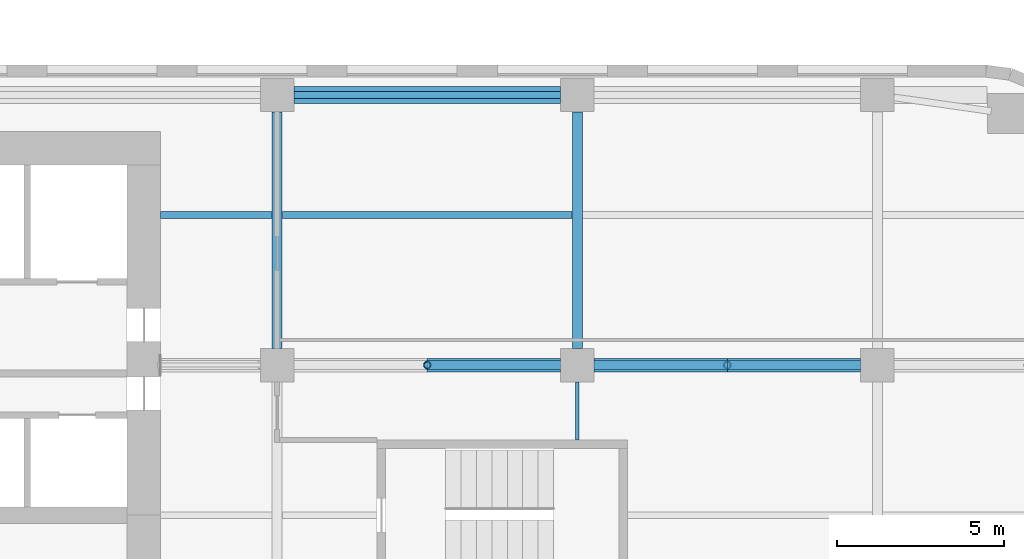
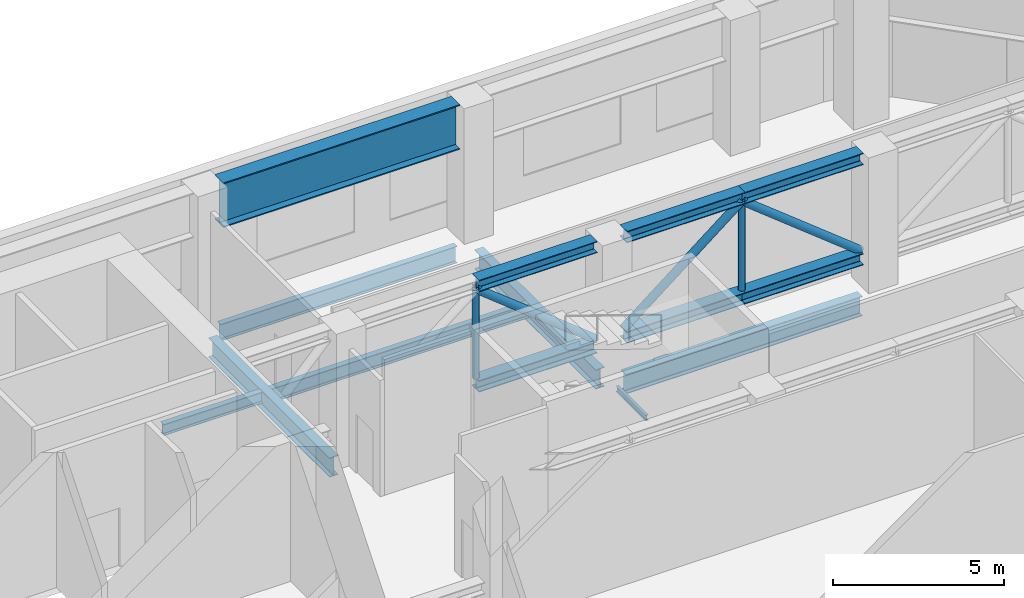
# One storey, part 9 of 23: 11 members, 8 beams.
"""IFC4 building model written with IfcOpenShell, lengths in metres."""

from ifc_helpers import new_model, si_unit, direction, frame, origin, origin_2d, place, context, subcontext, project, spatial, hollow_circle, i_section, extrude, material, material_profile, profile_set, type_object, element, save


model = new_model("IFC4")

# Units and contexts
model_context = context("Model", 3, precision=1e-05, world=origin(), true_north=direction((0.0, 1.0)))
body_context = subcontext(model_context, "Body", "Model", "MODEL_VIEW")
ifc_project = project(units=[si_unit("LENGTHUNIT", "METRE"), si_unit("AREAUNIT", "SQUARE_METRE"), si_unit("VOLUMEUNIT", "CUBIC_METRE"), si_unit("PLANEANGLEUNIT", "RADIAN"), si_unit("MASSUNIT", "GRAM", prefix="KILO")], contexts=[model_context])

# Site, building, storey
site_placement = place(None, origin())
site = spatial("IfcSite", under=ifc_project, at=site_placement, CompositionType="ELEMENT")
building_placement = place(site_placement, origin())
building = spatial("IfcBuilding", under=site, at=building_placement, Name="Cinnabar Reach Civic Tower", CompositionType="ELEMENT")
storey_placement = place(building_placement, frame((0.0, 0.0, 46.0)))
storey = spatial("IfcBuildingStorey", under=building, at=storey_placement, Name="L10", CompositionType="ELEMENT", Elevation=46.0)

# Beam
ifc_material = material(Name="Steel Q355B", Category="steel")
ifc_material_profile_1 = material_profile(ifc_material, i_section(OverallWidth=0.5, OverallDepth=1.6, WebThickness=0.025, FlangeThickness=0.04, at=origin_2d()), Name="BH1600x500x25x40")
ifc_profile_set_1 = profile_set([ifc_material_profile_1], Name="Steel Q355B")
beam_type_1 = type_object("IfcBeamType", Name="BELT BH1600x500x25x40 R 240", PredefinedType="BEAM", material=ifc_profile_set_1)
beam_1_placement = place(storey_placement, frame((27.502, 44.1, 4.05), z_axis=(1.0, 0.0, 0.0), x_axis=(0.0, 1.0, 0.0)))
element("IfcBeam", 1, at=beam_1_placement, inside=storey, type_object=beam_type_1, Name="BELT girder T1-L10-BG", PredefinedType="BEAM", context=body_context, shape_type="SweptSolid", body=[
    extrude(i_section(OverallWidth=0.5, OverallDepth=1.6, WebThickness=0.025, FlangeThickness=0.04, at=origin_2d()), origin(), (0.0, 0.0, 1.0), 7.996),
])

# Members
ifc_material_profile_2 = material_profile(ifc_material, hollow_circle(Radius=0.1095, WallThickness=0.008, at=origin_2d()), Name="CHS219x8")
ifc_profile_set_2 = profile_set([ifc_material_profile_2], Name="Steel Q355B")
member_type_1 = type_object("IfcMemberType", Name="CHS219x8 post R 240", PredefinedType="POST", material=ifc_profile_set_2)
for number, where, z_axis, x_axis, name in (
    (2, (31.5, 36.0, 1.264), (0.0, 0.0, 1.0), (1.0, 0.0, 0.0), "Outrigger truss post T1-L10-TR-E36"),
    (3, (40.5, 36.0, 1.264), (0.0, 0.0, 1.0), (1.0, 0.0, 0.0), "Outrigger truss post T1-L10-TR-E36"),
):
    element("IfcMember", number, at=place(storey_placement, frame(where, z_axis=z_axis, x_axis=x_axis)), inside=storey, type_object=member_type_1, Name=name, PredefinedType="POST", context=body_context, shape_type="SweptSolid", body=[
        extrude(hollow_circle(Radius=0.1095, WallThickness=0.008, at=origin_2d()), origin(), (0.0, 0.0, 1.0), 3.172),
    ])
ifc_material_profile_3 = material_profile(ifc_material, hollow_circle(Radius=0.1365, WallThickness=0.01, at=origin_2d()), Name="CHS273x10")
ifc_profile_set_3 = profile_set([ifc_material_profile_3], Name="Steel Q355B")
member_type_2 = type_object("IfcMemberType", Name="CHS273x10 brace R 240", PredefinedType="BRACE", material=ifc_profile_set_3)
for number, where, z_axis, x_axis, name in (
    (4, (31.5, 36.0, 4.436), (0.783385820747, 0.0, -0.621535723714), (0.0, 1.0, 0.0), "Outrigger truss diagonal T1-L10-TR-E36"),
    (5, (36.502, 36.0, 1.264), (0.783385820747, 0.0, 0.621535723714), (0.0, 1.0, 0.0), "Outrigger truss diagonal T1-L10-TR-E36"),
    (6, (40.5, 36.0, 4.436), (0.783385820747, 0.0, -0.621535723714), (0.0, 1.0, 0.0), "Outrigger truss diagonal T1-L10-TR-E36"),
):
    element("IfcMember", number, at=place(storey_placement, frame(where, z_axis=z_axis, x_axis=x_axis)), inside=storey, type_object=member_type_2, Name=name, PredefinedType="BRACE", context=body_context, shape_type="SweptSolid", body=[
        extrude(hollow_circle(Radius=0.1365, WallThickness=0.01, at=origin_2d()), origin(), (0.0, 0.0, 1.0), 5.1035),
    ])

# Beams
ifc_material_profile_4 = material_profile(ifc_material, i_section(OverallWidth=0.099, OverallDepth=0.198, WebThickness=0.0045, FlangeThickness=0.007, FilletRadius=0.013, at=origin_2d()), Name="HN200x100x5.5x8")
ifc_profile_set_4 = profile_set([ifc_material_profile_4], Name="Steel Q355B")
beam_type_2 = type_object("IfcBeamType", Name="HN200x100x5.5x8 beam R 180", PredefinedType="BEAM", material=ifc_profile_set_4)
beam_2_placement = place(storey_placement, frame((36.0, 33.752, -0.399), z_axis=(0.0, 1.0, 0.0), x_axis=(-1.0, 0.0, 0.0)))
element("IfcBeam", 7, at=beam_2_placement, inside=storey, type_object=beam_type_2, Name="Girder T1 L10 16", PredefinedType="BEAM", context=body_context, shape_type="SweptSolid", body=[
    extrude(i_section(OverallWidth=0.099, OverallDepth=0.198, WebThickness=0.0045, FlangeThickness=0.007, FilletRadius=0.013, at=origin_2d()), origin(), (0.0, 0.0, 1.0), 1.746),
])
ifc_material_profile_5 = material_profile(ifc_material, i_section(OverallWidth=0.2, OverallDepth=0.4, WebThickness=0.008, FlangeThickness=0.013, FilletRadius=0.016, at=origin_2d()), Name="HN400x200x8x13")
ifc_profile_set_5 = profile_set([ifc_material_profile_5], Name="Steel Q355B")
beam_type_3 = type_object("IfcBeamType", Name="HN400x200x8x13 beam R 180", PredefinedType="BEAM", material=ifc_profile_set_5)
beam_3_placement = place(storey_placement, frame((23.502, 40.5, -0.5), z_axis=(1.0, 0.0, 0.0), x_axis=(0.0, 1.0, 0.0)))
element("IfcBeam", 8, at=beam_3_placement, inside=storey, type_object=beam_type_3, Name="Secondary beam T1 L10 25", PredefinedType="BEAM", context=body_context, shape_type="SweptSolid", body=[
    extrude(i_section(OverallWidth=0.2, OverallDepth=0.4, WebThickness=0.008, FlangeThickness=0.013, FilletRadius=0.016, at=origin_2d()), origin(), (0.0, 0.0, 1.0), 3.346),
])
ifc_material_profile_6 = material_profile(ifc_material, i_section(OverallWidth=0.2, OverallDepth=0.5, WebThickness=0.01, FlangeThickness=0.016, FilletRadius=0.016, at=origin_2d()), Name="HN500x200x10x16")
ifc_profile_set_6 = profile_set([ifc_material_profile_6], Name="Steel Q355B")
beam_type_4 = type_object("IfcBeamType", Name="HN500x200x10x16 beam R 180", PredefinedType="BEAM", material=ifc_profile_set_6)
beam_4_placement = place(storey_placement, frame((27.152, 40.5, -0.55), z_axis=(1.0, 0.0, 0.0), x_axis=(0.0, 1.0, 0.0)))
element("IfcBeam", 9, at=beam_4_placement, inside=storey, type_object=beam_type_4, Name="Secondary beam T1 L10 26", PredefinedType="BEAM", context=body_context, shape_type="SweptSolid", body=[
    extrude(i_section(OverallWidth=0.2, OverallDepth=0.5, WebThickness=0.01, FlangeThickness=0.016, FilletRadius=0.016, at=origin_2d()), origin(), (0.0, 0.0, 1.0), 8.696),
])
ifc_material_profile_7 = material_profile(ifc_material, i_section(OverallWidth=0.2, OverallDepth=0.6, WebThickness=0.011, FlangeThickness=0.017, FilletRadius=0.016, at=origin_2d()), Name="HN600x200x11x17")
ifc_profile_set_7 = profile_set([ifc_material_profile_7], Name="Steel Q355B")
beam_type_5 = type_object("IfcBeamType", Name="HN600x200x11x17 beam R 180", PredefinedType="BEAM", material=ifc_profile_set_7)
beam_5_placement = place(storey_placement, frame((35.498, 44.1, -0.6), z_axis=(-1.0, 0.0, 0.0), x_axis=(0.0, -1.0, 0.0)))
element("IfcBeam", 10, at=beam_5_placement, inside=storey, type_object=beam_type_5, Name="Edge beam T1 L10 16", PredefinedType="BEAM", context=body_context, shape_type="SweptSolid", body=[
    extrude(i_section(OverallWidth=0.2, OverallDepth=0.6, WebThickness=0.011, FlangeThickness=0.017, FilletRadius=0.016, at=origin_2d()), origin(), (0.0, 0.0, 1.0), 7.996),
])
ifc_material_profile_8 = material_profile(ifc_material, i_section(OverallWidth=0.3, OverallDepth=0.692, WebThickness=0.013, FlangeThickness=0.02, FilletRadius=0.016, at=origin_2d()), Name="HN692x300x13x20")
ifc_profile_set_8 = profile_set([ifc_material_profile_8], Name="Steel Q355B")
beam_type_6 = type_object("IfcBeamType", Name="HN692x300x13x20 beam R 180", PredefinedType="BEAM", material=ifc_profile_set_8)
for number, where, z_axis, x_axis, name in (
    (11, (27.0, 36.502, -0.646), (0.0, 1.0, 0.0), (-1.0, 0.0, 0.0), "Girder T1 L10 11"),
    (12, (36.0, 36.502, -0.646), (0.0, 1.0, 0.0), (-1.0, 0.0, 0.0), "Girder T1 L10 17"),
):
    element("IfcBeam", number, at=place(storey_placement, frame(where, z_axis=z_axis, x_axis=x_axis)), inside=storey, type_object=beam_type_6, Name=name, PredefinedType="BEAM", context=body_context, shape_type="SweptSolid", body=[
        extrude(i_section(OverallWidth=0.3, OverallDepth=0.692, WebThickness=0.013, FlangeThickness=0.02, FilletRadius=0.016, at=origin_2d()), origin(), (0.0, 0.0, 1.0), 7.096),
    ])
ifc_material_profile_9 = material_profile(ifc_material, i_section(OverallWidth=0.3, OverallDepth=0.7, WebThickness=0.013, FlangeThickness=0.024, FilletRadius=0.02, at=origin_2d()), Name="HN700x300x13x24")
ifc_profile_set_9 = profile_set([ifc_material_profile_9], Name="Steel Q355B")
beam_type_7 = type_object("IfcBeamType", Name="HN700x300x13x24 beam R 180", PredefinedType="BEAM", material=ifc_profile_set_9)
beam_6_placement = place(storey_placement, frame((36.502, 36.0, -0.65), z_axis=(1.0, 0.0, 0.0), x_axis=(0.0, 1.0, 0.0)))
element("IfcBeam", 13, at=beam_6_placement, inside=storey, type_object=beam_type_7, Name="Girder T1 L10 22", PredefinedType="BEAM", context=body_context, shape_type="SweptSolid", body=[
    extrude(i_section(OverallWidth=0.3, OverallDepth=0.7, WebThickness=0.013, FlangeThickness=0.024, FilletRadius=0.02, at=origin_2d()), origin(), (0.0, 0.0, 1.0), 7.996),
])

# Members
ifc_material_profile_10 = material_profile(ifc_material, i_section(OverallWidth=0.405, OverallDepth=0.414, WebThickness=0.018, FlangeThickness=0.028, FilletRadius=0.016, at=origin_2d()), Name="HW414x405x18x28")
ifc_profile_set_10 = profile_set([ifc_material_profile_10], Name="Steel Q355B")
member_type_3 = type_object("IfcMemberType", Name="HW414x405x18x28 chord R 240", PredefinedType="CHORD", material=ifc_profile_set_10)
for number, where, z_axis, x_axis, name in (
    (14, (31.5, 36.0, 4.643), (1.0, 0.0, 0.0), (0.0, 1.0, 0.0), "Outrigger truss chord T1-L10-TR-E36"),
    (15, (31.5, 36.0, 1.057), (1.0, 0.0, 0.0), (0.0, 1.0, 0.0), "Outrigger truss chord T1-L10-TR-E36"),
    (16, (36.502, 36.0, 4.643), (1.0, 0.0, 0.0), (0.0, 1.0, 0.0), "Outrigger truss chord T1-L10-TR-E36"),
    (17, (40.5, 36.0, 4.643), (1.0, 0.0, 0.0), (0.0, 1.0, 0.0), "Outrigger truss chord T1-L10-TR-E36"),
    (18, (36.502, 36.0, 1.057), (1.0, 0.0, 0.0), (0.0, 1.0, 0.0), "Outrigger truss chord T1-L10-TR-E36"),
    (19, (40.5, 36.0, 1.057), (1.0, 0.0, 0.0), (0.0, 1.0, 0.0), "Outrigger truss chord T1-L10-TR-E36"),
):
    element("IfcMember", number, at=place(storey_placement, frame(where, z_axis=z_axis, x_axis=x_axis)), inside=storey, type_object=member_type_3, Name=name, PredefinedType="CHORD", context=body_context, shape_type="SweptSolid", body=[
        extrude(i_section(OverallWidth=0.405, OverallDepth=0.414, WebThickness=0.018, FlangeThickness=0.028, FilletRadius=0.016, at=origin_2d()), origin(), (0.0, 0.0, 1.0), 3.998),
    ])

save(model, "model.ifc")
